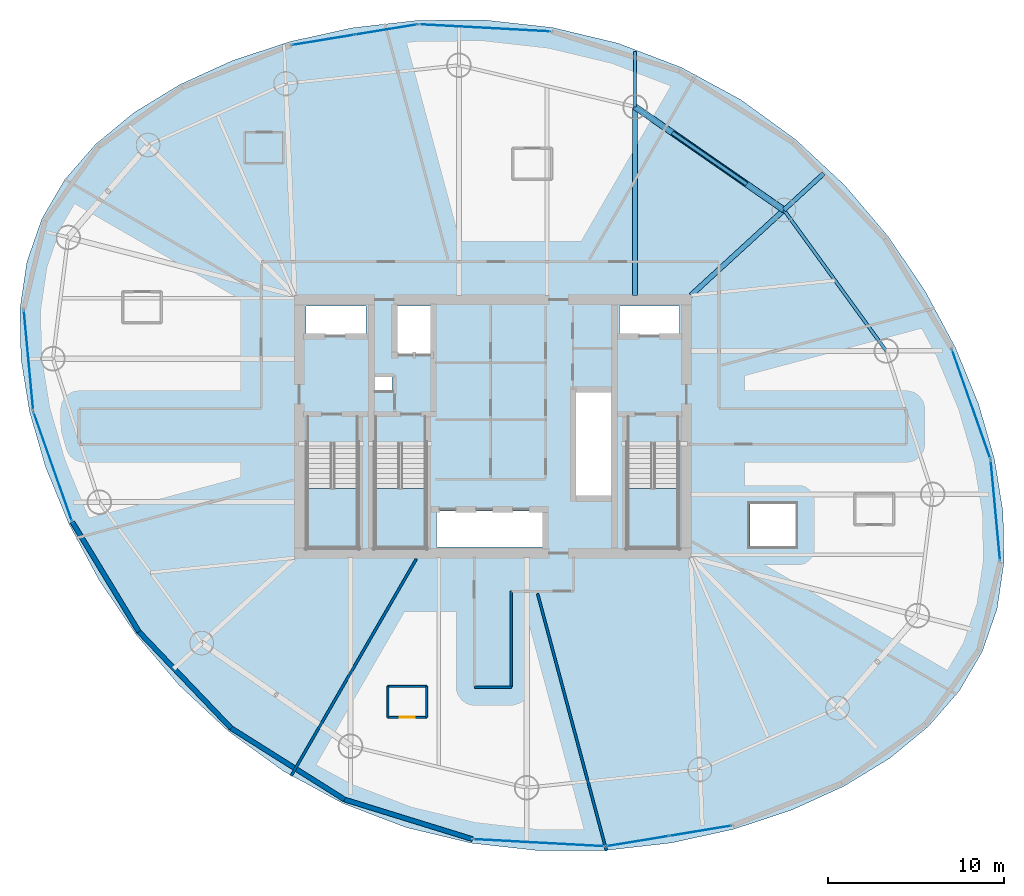
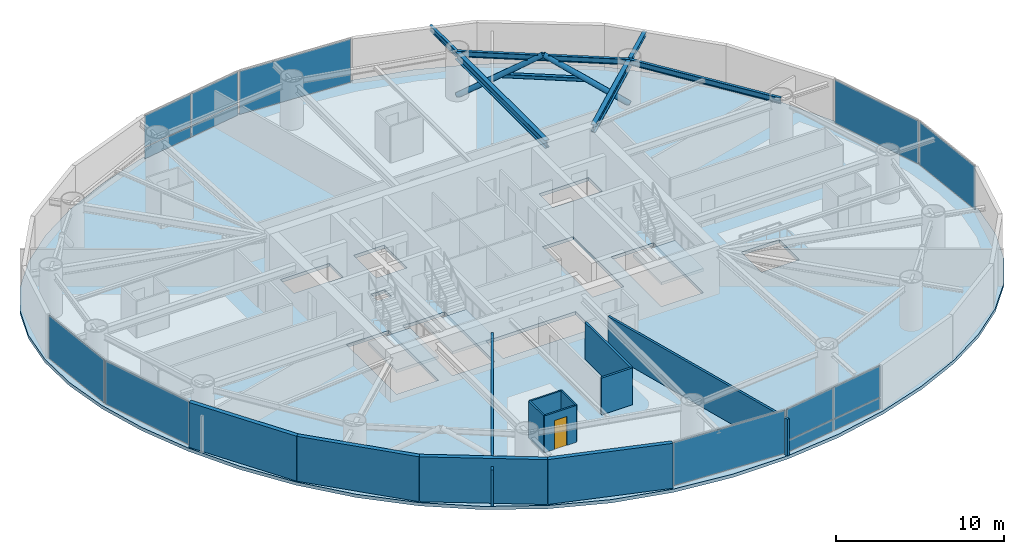
# One storey, part 14 of 20: 14 plates, 12 walls, 6 beams, 4 slabs, 3 members, 1 door, 1 opening, 11 elements without a shape of their own.
"""IFC4 building model written with IfcOpenShell, lengths in metres."""

from ifc_helpers import new_model, si_unit, direction, frame, frame_2d, origin, origin_2d, place, context, subcontext, project, spatial, polyline, rectangle, hollow_rectangle, hollow_circle, i_section, outline, extrude, material, layer, layer_set, material_profile, profile_set, type_object, element, fill, aggregate, save


model = new_model("IFC4")

# Units and contexts
model_context = context("Model", 3, precision=1e-05, world=origin(), true_north=direction((0.0, 1.0)))
body_context = subcontext(model_context, "Body", "Model", "MODEL_VIEW")
ifc_project = project(units=[si_unit("LENGTHUNIT", "METRE"), si_unit("AREAUNIT", "SQUARE_METRE"), si_unit("VOLUMEUNIT", "CUBIC_METRE"), si_unit("PLANEANGLEUNIT", "RADIAN"), si_unit("MASSUNIT", "GRAM", prefix="KILO")], contexts=[model_context])

# Site, building, storey
site_placement = place(None, origin())
site = spatial("IfcSite", under=ifc_project, at=site_placement, CompositionType="ELEMENT")
building_placement = place(site_placement, origin())
building = spatial("IfcBuilding", under=site, at=building_placement, Name="Bramvorn Convention Spire", CompositionType="ELEMENT")
storey_placement = place(building_placement, frame((0.0, 0.0, 130.800048828125)))
storey = spatial("IfcBuildingStorey", under=building, at=storey_placement, Name="L32", CompositionType="ELEMENT", Elevation=130.800048828125)

# Beams
ifc_material_1 = material(Name="Steel CSA G40.21 Grade 350 (350W)", Category="steel")
ifc_material_profile_1 = material_profile(ifc_material_1, i_section(OverallWidth=0.25390625, OverallDepth=0.2529296875, WebThickness=0.008544921875, FlangeThickness=0.01416015625, FilletRadius=0.011962890625, at=origin_2d()))
ifc_profile_set_1 = profile_set([ifc_material_profile_1], Name="Steel CSA G40.21 Grade 350 (350W) - W250X73")
beam_type_1 = type_object("IfcBeamType", Name="BM-W250X73", PredefinedType="BEAM", material=ifc_profile_set_1)
beam_1_placement = place(storey_placement, frame((54.534912109375, 38.299072265625, 3.1083984375), z_axis=(0.736813371192, 0.676096188447, 0.0), x_axis=(-0.676096188447, 0.736813371192, 0.0)))
element("IfcBeam", 1, at=beam_1_placement, inside=storey, type_object=beam_type_1, Name="L32 slab-edge cantilever tip beam MC04", PredefinedType="BEAM", context=body_context, shape_type="SweptSolid", body=[
    extrude(i_section(OverallWidth=0.25390625, OverallDepth=0.2529296875, WebThickness=0.008544921875, FlangeThickness=0.01416015625, FilletRadius=0.011962890625, at=origin_2d()), origin(), (0.0, 0.0, 1.0), 3.06396484375),
])
ifc_material_profile_2 = material_profile(ifc_material_1, i_section(OverallWidth=0.180908203125, OverallDepth=0.4169921875, WebThickness=0.010986328125, FlangeThickness=0.018310546875, FilletRadius=0.01611328125, at=origin_2d()))
ifc_profile_set_2 = profile_set([ifc_material_profile_2], Name="Steel CSA G40.21 Grade 350 (350W) - W410X85")
beam_type_2 = type_object("IfcBeamType", Name="BM-W410X85", PredefinedType="JOIST", material=ifc_profile_set_2)
beam_2_placement = place(storey_placement, frame((60.345703125, 30.293212890625, 3.051513671875), z_axis=(-0.587401024629, 0.809296012757, 0.0), x_axis=(-0.809296012757, -0.587401024629, 0.0)))
element("IfcBeam", 2, at=beam_2_placement, inside=storey, type_object=beam_type_2, Name="L32 mega-column ring beam 03", PredefinedType="JOIST", context=body_context, shape_type="SweptSolid", body=[
    extrude(i_section(OverallWidth=0.180908203125, OverallDepth=0.4169921875, WebThickness=0.010986328125, FlangeThickness=0.018310546875, FilletRadius=0.01611328125, at=origin_2d()), origin(), (0.0, 0.0, 1.0), 9.892333984375),
])
beam_3_placement = place(storey_placement, frame((54.534912109375, 38.299072265625, 3.051513671875), z_axis=(-0.822033166673, 0.569439613032, 0.0), x_axis=(-0.569439613032, -0.822033166673, 0.0)))
element("IfcBeam", 3, at=beam_3_placement, inside=storey, type_object=beam_type_2, Name="L32 mega-column ring beam 04", PredefinedType="JOIST", context=body_context, shape_type="SweptSolid", body=[
    extrude(i_section(OverallWidth=0.180908203125, OverallDepth=0.4169921875, WebThickness=0.010986328125, FlangeThickness=0.018310546875, FilletRadius=0.01611328125, at=origin_2d()), origin(), (0.0, 0.0, 1.0), 10.281982421875),
])
beam_4_placement = place(storey_placement, frame((46.082763671875, 44.154052734375, 3.0263671875), z_axis=(0.0, 1.0, 0.0), x_axis=(-1.0, 0.0, 0.0)))
element("IfcBeam", 4, at=beam_4_placement, inside=storey, type_object=beam_type_2, Name="L32 Sky-Garden cantilever tip girder MC05", PredefinedType="JOIST", context=body_context, shape_type="SweptSolid", body=[
    extrude(i_section(OverallWidth=0.180908203125, OverallDepth=0.4169921875, WebThickness=0.010986328125, FlangeThickness=0.018310546875, FilletRadius=0.01611328125, at=origin_2d()), origin(), (0.0, 0.0, 1.0), 3.138671875),
])
ifc_material_profile_3 = material_profile(ifc_material_1, i_section(OverallWidth=0.2919921875, OverallDepth=0.551025390625, WebThickness=0.01513671875, FlangeThickness=0.0244140625, FilletRadius=0.01904296875, at=origin_2d()))
ifc_profile_set_3 = profile_set([ifc_material_profile_3], Name="Steel CSA G40.21 Grade 350 (350W) - W530X182")
beam_type_3 = type_object("IfcBeamType", Name="BM-W530X182", PredefinedType="BEAM", material=ifc_profile_set_3)
beam_5_placement = place(storey_placement, frame((49.25, 33.449951171875, 2.984375), z_axis=(0.736833323746, 0.676074443399, 0.0), x_axis=(-0.676074443399, 0.736833323746, 0.0)))
element("IfcBeam", 5, at=beam_5_placement, inside=storey, type_object=beam_type_3, Name="L32 radial floor girder MC04", PredefinedType="BEAM", context=body_context, shape_type="SweptSolid", body=[
    extrude(i_section(OverallWidth=0.2919921875, OverallDepth=0.551025390625, WebThickness=0.01513671875, FlangeThickness=0.0244140625, FilletRadius=0.01904296875, at=origin_2d()), origin(), (0.0, 0.0, 1.0), 7.17236328125),
])
beam_6_placement = place(storey_placement, frame((46.082763671875, 33.449951171875, 2.95947265625), z_axis=(0.0, 1.0, 0.0), x_axis=(-1.0, 0.0, 0.0)))
element("IfcBeam", 6, at=beam_6_placement, inside=storey, type_object=beam_type_3, Name="L32 Sky-Garden back-span radial girder MC05", PredefinedType="BEAM", context=body_context, shape_type="SweptSolid", body=[
    extrude(i_section(OverallWidth=0.2919921875, OverallDepth=0.551025390625, WebThickness=0.01513671875, FlangeThickness=0.0244140625, FilletRadius=0.01904296875, at=origin_2d()), origin(), (0.0, 0.0, 1.0), 10.7041015625),
])

# Members
ifc_material_profile_4 = material_profile(ifc_material_1, hollow_circle(Radius=0.177734375, WallThickness=0.015869140625, at=origin_2d()))
ifc_profile_set_4 = profile_set([ifc_material_profile_4], Name="Steel CSA G40.21 Grade 350 (350W) - CHS356X16")
member_type_1 = type_object("IfcMemberType", Name="MBR-CHS356X16", PredefinedType="BRACE", material=ifc_profile_set_4)
for number, where, z_axis, x_axis, name in (
    (7, (54.534912109375, 38.299072265625, 0.0), (-0.694222482493, 0.480902471841, 0.535525869944), (-0.569439613032, -0.822033166673, 0.0), "L32 perimeter Gothic lancet brace 4A"),
    (8, (46.082763671875, 44.154052734375, 0.0), (0.694222482493, -0.480902471841, 0.535525869944), (0.569439613032, 0.822033166673, 0.0), "L32 perimeter Gothic lancet brace 4B"),
):
    element("IfcMember", number, at=place(storey_placement, frame(where, z_axis=z_axis, x_axis=x_axis)), inside=storey, type_object=member_type_1, Name=name, PredefinedType="BRACE", context=body_context, shape_type="SweptSolid", body=[
        extrude(hollow_circle(Radius=0.177734375, WallThickness=0.015869140625, at=origin_2d()), origin(), (0.0, 0.0, 1.0), 6.08740234375),
    ])
ifc_material_profile_5 = material_profile(ifc_material_1, hollow_rectangle(XDim=0.25390625, YDim=0.25390625, WallThickness=0.015869140625, InnerFilletRadius=0.015869140625, OuterFilletRadius=0.03173828125, at=origin_2d()))
ifc_profile_set_5 = profile_set([ifc_material_profile_5], Name="Steel CSA G40.21 Grade 350 (350W) - HSS254X254X16")
member_type_2 = type_object("IfcMemberType", Name="MBR-HSS254X254X16", PredefinedType="POST", material=ifc_profile_set_5)
member_placement = place(storey_placement, frame((52.421875, 39.7626953125, 1.6298828125), z_axis=(-0.822033166673, 0.569439613032, 0.0), x_axis=(-0.569439613032, -0.822033166673, 0.0)))
element("IfcMember", 9, at=member_placement, inside=storey, type_object=member_type_2, Name="L32 lancet mid-height collar tie 4", PredefinedType="POST", context=body_context, shape_type="SweptSolid", body=[
    extrude(hollow_rectangle(XDim=0.25390625, YDim=0.25390625, WallThickness=0.015869140625, InnerFilletRadius=0.015869140625, OuterFilletRadius=0.03173828125, at=origin_2d()), origin(), (0.0, 0.0, 1.0), 5.14111328125),
])

# Curtain wall, plate
ifc_material_2 = material(Name="Anodised Bronze Unitised Curtain Wall", Category="aluminium")
ifc_layer_1 = layer(ifc_material_2, 0.179931640625)
ifc_layer_set_1 = layer_set([ifc_layer_1], Name="Anodised Bronze Unitised Curtain Wall - CW-HTL-FRIT")
curtain_wall_type = type_object("IfcCurtainWallType", Name="CW-HTL-FRIT", PredefinedType="USERDEFINED", material=ifc_layer_set_1)
curtain_wall_1_placement = place(storey_placement, origin())
curtain_wall_1 = element("IfcCurtainWall", 10, at=curtain_wall_1_placement, inside=storey, type_object=curtain_wall_type, Name="L32 fritted glass curtain wall 02", ObjectType="UNITISED CURTAIN WALL", PredefinedType="USERDEFINED")
ifc_material_3 = material(Name="Laminated Low-E Glass (Triple IGU Tapered Ceramic Frit 40%)", Category="glass")
ifc_layer_2 = layer(ifc_material_3, 0.0380859375)
ifc_layer_set_2 = layer_set([ifc_layer_2], Name="Laminated Low-E Glass (Triple IGU Tapered Ceramic Frit 40%) - PNL-IGU-2")
plate_type = type_object("IfcPlateType", Name="PNL-IGU-2", PredefinedType="CURTAIN_PANEL", material=ifc_layer_set_2)
plate_1_placement = place(storey_placement, frame((66.548095703125, 21.232666015625, 0.06005859375), z_axis=(0.0, 0.0, 1.0), x_axis=(0.093118323373, -0.995655049629, 0.0)))
plate_1 = element("IfcPlate", 11, at=plate_1_placement, type_object=plate_type, Name="CW2 panel 1.1", PredefinedType="CURTAIN_PANEL", context=body_context, shape_type="SweptSolid", body=[
    extrude(rectangle(XDim=5.70263671875, YDim=0.028076171875, at=origin_2d()), origin(), (0.0, 0.0, 1.0), 3.139892578125),
])
aggregate(curtain_wall_1, [plate_1])

curtain_wall_2_placement = place(storey_placement, origin())
curtain_wall_2 = element("IfcCurtainWall", 12, at=curtain_wall_2_placement, inside=storey, type_object=curtain_wall_type, Name="L32 fritted glass curtain wall 03", ObjectType="UNITISED CURTAIN WALL", PredefinedType="USERDEFINED")
plate_2_placement = place(storey_placement, frame((65.170654296875, 27.27490234375, 0.06005859375), z_axis=(0.0, 0.0, 1.0), x_axis=(0.331951207806, -0.94329655763, 0.0)))
plate_2 = element("IfcPlate", 13, at=plate_2_placement, type_object=plate_type, Name="CW2 panel 1.1", PredefinedType="CURTAIN_PANEL", context=body_context, shape_type="SweptSolid", body=[
    extrude(rectangle(XDim=6.545166015625, YDim=0.028076171875, at=origin_2d()), origin(), (0.0, 0.0, 1.0), 3.139892578125),
])
aggregate(curtain_wall_2, [plate_2])

curtain_wall_3_placement = place(storey_placement, origin())
curtain_wall_3 = element("IfcCurtainWall", 14, at=curtain_wall_3_placement, inside=storey, type_object=curtain_wall_type, Name="L32 fritted glass curtain wall 08", ObjectType="UNITISED CURTAIN WALL", PredefinedType="USERDEFINED")
plate_3_placement = place(storey_placement, frame((37.5478515625, 48.6396484375, 0.06005859375), z_axis=(0.0, 0.0, 1.0), x_axis=(0.998536899068, -0.054074589229, 0.0)))
plate_3 = element("IfcPlate", 15, at=plate_3_placement, type_object=plate_type, Name="CW2 panel 1.1", PredefinedType="CURTAIN_PANEL", context=body_context, shape_type="SweptSolid", body=[
    extrude(rectangle(XDim=7.44921875, YDim=0.028076171875, at=origin_2d()), origin(), (0.0, 0.0, 1.0), 3.139892578125),
])
aggregate(curtain_wall_3, [plate_3])

# Curtain wall, plates
curtain_wall_4_placement = place(storey_placement, origin())
curtain_wall_4 = element("IfcCurtainWall", 16, at=curtain_wall_4_placement, inside=storey, type_object=curtain_wall_type, Name="L32 fritted glass curtain wall 09", ObjectType="UNITISED CURTAIN WALL", PredefinedType="USERDEFINED")
plate_4_placement = place(storey_placement, frame((28.386962890625, 47.96044921875, 0.059814453125), z_axis=(0.0, 0.0, 1.0), x_axis=(0.986783266295, 0.162045627405, 0.0)))
plate_4 = element("IfcPlate", 17, at=plate_4_placement, type_object=plate_type, Name="CW2 panel 1.1", PredefinedType="CURTAIN_PANEL", context=body_context, shape_type="SweptSolid", body=[
    extrude(rectangle(XDim=3.555908203125, YDim=0.028076171875, at=origin_2d()), origin(), (0.0, 0.0, 1.0), 0.81005859375),
])
plate_5_placement = place(storey_placement, frame((28.386962890625, 47.96044921875, 0.929931640625), z_axis=(0.0, 0.0, 1.0), x_axis=(0.986783266295, 0.162045627405, 0.0)))
plate_5 = element("IfcPlate", 18, at=plate_5_placement, type_object=plate_type, Name="CW2 panel 1.2", PredefinedType="CURTAIN_PANEL", context=body_context, shape_type="SweptSolid", body=[
    extrude(rectangle(XDim=3.555908203125, YDim=0.028076171875, at=origin_2d()), origin(), (0.0, 0.0, 1.0), 2.27001953125),
])
plate_6_placement = place(storey_placement, frame((31.955078125, 48.54638671875, 0.059814453125), z_axis=(0.0, 0.0, 1.0), x_axis=(0.986783266295, 0.162045627405, 0.0)))
plate_6 = element("IfcPlate", 19, at=plate_6_placement, type_object=plate_type, Name="CW2 panel 2.1", PredefinedType="CURTAIN_PANEL", context=body_context, shape_type="SweptSolid", body=[
    extrude(rectangle(XDim=3.555908203125, YDim=0.028076171875, at=origin_2d()), origin(), (0.0, 0.0, 1.0), 0.81005859375),
])
plate_7_placement = place(storey_placement, frame((31.955078125, 48.54638671875, 0.929931640625), z_axis=(0.0, 0.0, 1.0), x_axis=(0.986783266295, 0.162045627405, 0.0)))
plate_7 = element("IfcPlate", 20, at=plate_7_placement, type_object=plate_type, Name="CW2 panel 2.2", PredefinedType="CURTAIN_PANEL", context=body_context, shape_type="SweptSolid", body=[
    extrude(rectangle(XDim=3.555908203125, YDim=0.028076171875, at=origin_2d()), origin(), (0.0, 0.0, 1.0), 2.27001953125),
])
aggregate(curtain_wall_4, [plate_4, plate_5, plate_6, plate_7])

# Curtain wall, plate
curtain_wall_5_placement = place(storey_placement, origin())
curtain_wall_5 = element("IfcCurtainWall", 21, at=curtain_wall_5_placement, inside=storey, type_object=curtain_wall_type, Name="L32 fritted glass curtain wall 14", ObjectType="UNITISED CURTAIN WALL", PredefinedType="USERDEFINED")
plate_8_placement = place(storey_placement, frame((11.632568359375, 29.764404296875, 0.06005859375), z_axis=(0.0, 0.0, 1.0), x_axis=(-0.09310129809, 0.995656641767, 0.0)))
plate_8 = element("IfcPlate", 22, at=plate_8_placement, type_object=plate_type, Name="CW2 panel 1.1", PredefinedType="CURTAIN_PANEL", context=body_context, shape_type="SweptSolid", body=[
    extrude(rectangle(XDim=5.70263671875, YDim=0.028076171875, at=origin_2d()), origin(), (0.0, 0.0, 1.0), 3.139892578125),
])
aggregate(curtain_wall_5, [plate_8])

curtain_wall_6_placement = place(storey_placement, origin())
curtain_wall_6 = element("IfcCurtainWall", 23, at=curtain_wall_6_placement, inside=storey, type_object=curtain_wall_type, Name="L32 fritted glass curtain wall 15", ObjectType="UNITISED CURTAIN WALL", PredefinedType="USERDEFINED")
plate_9_placement = place(storey_placement, frame((13.009765625, 23.72216796875, 0.06005859375), z_axis=(0.0, 0.0, 1.0), x_axis=(-0.331951207806, 0.94329655763, 0.0)))
plate_9 = element("IfcPlate", 24, at=plate_9_placement, type_object=plate_type, Name="CW2 panel 1.1", PredefinedType="CURTAIN_PANEL", context=body_context, shape_type="SweptSolid", body=[
    extrude(rectangle(XDim=6.545166015625, YDim=0.028076171875, at=origin_2d()), origin(), (0.0, 0.0, 1.0), 3.139892578125),
])
aggregate(curtain_wall_6, [plate_9])

curtain_wall_7_placement = place(storey_placement, origin())
curtain_wall_7 = element("IfcCurtainWall", 25, at=curtain_wall_7_placement, inside=storey, type_object=curtain_wall_type, Name="L32 fritted glass curtain wall 20", ObjectType="UNITISED CURTAIN WALL", PredefinedType="USERDEFINED")
plate_10_placement = place(storey_placement, frame((40.632568359375, 2.357666015625, 0.06005859375), z_axis=(0.0, 0.0, 1.0), x_axis=(-0.998536185621, 0.054087762064, 0.0)))
plate_10 = element("IfcPlate", 26, at=plate_10_placement, type_object=plate_type, Name="CW2 panel 1.1", PredefinedType="CURTAIN_PANEL", context=body_context, shape_type="SweptSolid", body=[
    extrude(rectangle(XDim=7.44921875, YDim=0.028076171875, at=origin_2d()), origin(), (0.0, 0.0, 1.0), 3.139892578125),
])
aggregate(curtain_wall_7, [plate_10])

# Curtain wall, plates
curtain_wall_8_placement = place(storey_placement, origin())
curtain_wall_8 = element("IfcCurtainWall", 27, at=curtain_wall_8_placement, inside=storey, type_object=curtain_wall_type, Name="L32 fritted glass curtain wall 21", ObjectType="UNITISED CURTAIN WALL", PredefinedType="USERDEFINED")
plate_11_placement = place(storey_placement, frame((49.79345703125, 3.03662109375, 0.059814453125), z_axis=(0.0, 0.0, 1.0), x_axis=(-0.986783626402, -0.162043434501, 0.0)))
plate_11 = element("IfcPlate", 28, at=plate_11_placement, type_object=plate_type, Name="CW2 panel 1.1", PredefinedType="CURTAIN_PANEL", context=body_context, shape_type="SweptSolid", body=[
    extrude(rectangle(XDim=3.555908203125, YDim=0.028076171875, at=origin_2d()), origin(), (0.0, 0.0, 1.0), 0.81005859375),
])
plate_12_placement = place(storey_placement, frame((49.79345703125, 3.03662109375, 0.929931640625), z_axis=(0.0, 0.0, 1.0), x_axis=(-0.986783626402, -0.162043434501, 0.0)))
plate_12 = element("IfcPlate", 29, at=plate_12_placement, type_object=plate_type, Name="CW2 panel 1.2", PredefinedType="CURTAIN_PANEL", context=body_context, shape_type="SweptSolid", body=[
    extrude(rectangle(XDim=3.555908203125, YDim=0.028076171875, at=origin_2d()), origin(), (0.0, 0.0, 1.0), 2.27001953125),
])
plate_13_placement = place(storey_placement, frame((46.225341796875, 2.45068359375, 0.059814453125), z_axis=(0.0, 0.0, 1.0), x_axis=(-0.986783626402, -0.162043434501, 0.0)))
plate_13 = element("IfcPlate", 30, at=plate_13_placement, type_object=plate_type, Name="CW2 panel 2.1", PredefinedType="CURTAIN_PANEL", context=body_context, shape_type="SweptSolid", body=[
    extrude(rectangle(XDim=3.555908203125, YDim=0.028076171875, at=origin_2d()), origin(), (0.0, 0.0, 1.0), 0.81005859375),
])
plate_14_placement = place(storey_placement, frame((46.225341796875, 2.45068359375, 0.929931640625), z_axis=(0.0, 0.0, 1.0), x_axis=(-0.986783626402, -0.162043434501, 0.0)))
plate_14 = element("IfcPlate", 31, at=plate_14_placement, type_object=plate_type, Name="CW2 panel 2.2", PredefinedType="CURTAIN_PANEL", context=body_context, shape_type="SweptSolid", body=[
    extrude(rectangle(XDim=3.555908203125, YDim=0.028076171875, at=origin_2d()), origin(), (0.0, 0.0, 1.0), 2.27001953125),
])
aggregate(curtain_wall_8, [plate_11, plate_12, plate_13, plate_14])

# Stair, slab
ifc_material_4 = material(Name="Concrete C40/50 Precast Stair", Category="concrete")
stair_type = type_object("IfcStairType", Name="ST-TOWER-1550", PredefinedType="HALF_TURN_STAIR", material=ifc_material_4)
stair_1_placement = place(storey_placement, origin())
stair_1 = element("IfcStair", 32, at=stair_1_placement, inside=storey, type_object=stair_type, Name="L32 Protected Exit Stair ST1", PredefinedType="HALF_TURN_STAIR")
ifc_material_5 = material(Name="Concrete C40/50 Stair Landing", Category="concrete")
ifc_layer_3 = layer(ifc_material_5, 0.219970703125)
ifc_layer_set_3 = layer_set([ifc_layer_3], Name="Concrete C40/50 Stair Landing - SLB-STAIR-LANDING")
slab_type_1 = type_object("IfcSlabType", Name="SLB-STAIR-LANDING", PredefinedType="LANDING", material=ifc_layer_set_3)
slab_1_placement = place(storey_placement, frame((0.0, 0.0, 1.550048828125)))
slab_1 = element("IfcSlab", 33, at=slab_1_placement, type_object=slab_type_1, Name="ST1 landing 1", PredefinedType="LANDING", context=body_context, shape_type="SweptSolid", body=[
    extrude(outline(polyline([(27.449951171875, 22.485107421875), (27.449951171875, 19.10009765625), (30.35009765625, 19.10009765625), (30.35009765625, 22.485107421875), (27.449951171875, 22.485107421875)])), origin(), (0.0, 0.0, 1.0), 0.199951171875),
])
aggregate(stair_1, [slab_1])

stair_2_placement = place(storey_placement, origin())
stair_2 = element("IfcStair", 34, at=stair_2_placement, inside=storey, type_object=stair_type, Name="L32 Protected Exit Stair ST2", PredefinedType="HALF_TURN_STAIR")
slab_2_placement = place(storey_placement, frame((0.0, 0.0, 1.550048828125)))
slab_2 = element("IfcSlab", 35, at=slab_2_placement, type_object=slab_type_1, Name="ST2 landing 1", PredefinedType="LANDING", context=body_context, shape_type="SweptSolid", body=[
    extrude(outline(polyline([(45.64990234375, 22.485107421875), (45.64990234375, 19.10009765625), (48.550048828125, 19.10009765625), (48.550048828125, 22.485107421875), (45.64990234375, 22.485107421875)])), origin(), (0.0, 0.0, 1.0), 0.199951171875),
])
aggregate(stair_2, [slab_2])

stair_3_placement = place(storey_placement, origin())
stair_3 = element("IfcStair", 36, at=stair_3_placement, inside=storey, type_object=stair_type, Name="L32 Protected Exit Stair ST3", PredefinedType="HALF_TURN_STAIR")
slab_3_placement = place(storey_placement, frame((0.0, 0.0, 1.550048828125)))
slab_3 = element("IfcSlab", 37, at=slab_3_placement, type_object=slab_type_1, Name="ST3 landing 1", PredefinedType="LANDING", context=body_context, shape_type="SweptSolid", body=[
    extrude(outline(polyline([(31.300048828125, 22.485107421875), (31.300048828125, 19.10009765625), (34.199951171875, 19.10009765625), (34.199951171875, 22.485107421875), (31.300048828125, 22.485107421875)])), origin(), (0.0, 0.0, 1.0), 0.199951171875),
])
aggregate(stair_3, [slab_3])

# Slab
ifc_material_6 = material(Name="Concrete C50/60", Category="concrete")
ifc_layer_4 = layer(ifc_material_6, 0.239990234375)
ifc_layer_set_4 = layer_set([ifc_layer_4], Name="Concrete C50/60 - SLB-Z2-240")
slab_type_2 = type_object("IfcSlabType", Name="SLB-Z2-240", PredefinedType="FLOOR", material=ifc_layer_set_4)
slab_4_placement = place(storey_placement, frame((0.0, 0.0, -0.239990234375)))
element("IfcSlab", 38, at=slab_4_placement, inside=storey, type_object=slab_type_2, Name="L32 tower floor slab", PredefinedType="FLOOR", context=body_context, shape_type="SweptSolid", body=[
    extrude(outline(polyline([(65.80029296875, 13.21337890625), (66.643798828125, 15.64892578125), (67.0341796875, 18.293212890625), (66.980712890625, 21.135009765625), (66.494140625, 24.147705078125), (65.5869140625, 27.288330078125), (64.270751953125, 30.494873046875), (62.557861328125, 33.68994140625), (60.461669921875, 36.784912109375), (58.0, 39.686767578125), (55.1962890625, 42.3056640625), (52.0830078125, 44.563232421875), (48.702880859375, 46.39794921875), (45.110107421875, 47.770263671875), (41.3701171875, 48.6650390625), (37.556884765625, 49.089599609375), (33.751708984375, 49.0703125), (30.03759765625, 48.647705078125), (26.496826171875, 47.868896484375), (23.205810546875, 46.781494140625), (20.230712890625, 45.426513671875), (17.626708984375, 43.835205078125), (15.43408203125, 42.026611328125), (13.6806640625, 40.009521484375), (12.380126953125, 37.783935546875), (11.53662109375, 35.34814453125), (11.146240234375, 32.703857421875), (11.19970703125, 29.8623046875), (11.686279296875, 26.849365234375), (12.593505859375, 23.708740234375), (13.90966796875, 20.502197265625), (15.62255859375, 17.30712890625), (17.71875, 14.212158203125), (20.180419921875, 11.310302734375), (22.984130859375, 8.69140625), (26.097412109375, 6.433837890625), (29.4775390625, 4.59912109375), (33.0703125, 3.226806640625), (36.810302734375, 2.33203125), (40.62353515625, 1.90771484375), (44.4287109375, 1.927001953125), (48.142822265625, 2.349609375), (51.68359375, 3.128173828125), (54.974609375, 4.215576171875), (57.94970703125, 5.570556640625), (60.5537109375, 7.161865234375), (62.74609375, 8.970458984375), (64.5, 10.98779296875), (65.80029296875, 13.21337890625)]), holes=[polyline([(27.449951171875, 25.050048828125), (27.449951171875, 19.10009765625), (30.35009765625, 19.10009765625), (30.35009765625, 25.050048828125), (27.449951171875, 25.050048828125)]), polyline([(45.64990234375, 25.050048828125), (45.64990234375, 19.10009765625), (48.550048828125, 19.10009765625), (48.550048828125, 25.050048828125), (45.64990234375, 25.050048828125)]), polyline([(31.300048828125, 25.050048828125), (31.300048828125, 19.10009765625), (34.199951171875, 19.10009765625), (34.199951171875, 25.050048828125), (31.300048828125, 25.050048828125)]), polyline([(27.39990234375, 31.219970703125), (30.800048828125, 31.219970703125), (30.800048828125, 32.85009765625), (27.39990234375, 32.85009765625), (27.39990234375, 31.219970703125)]), polyline([(45.199951171875, 31.219970703125), (48.60009765625, 31.219970703125), (48.60009765625, 32.85009765625), (45.199951171875, 32.85009765625), (45.199951171875, 31.219970703125)]), polyline([(32.449951171875, 30.14990234375), (34.56005859375, 30.14990234375), (34.56005859375, 32.85009765625), (32.449951171875, 32.85009765625), (32.449951171875, 30.14990234375)]), polyline([(34.800048828125, 19.14990234375), (40.97998046875, 19.14990234375), (40.97998046875, 21.199951171875), (34.800048828125, 21.199951171875), (34.800048828125, 19.14990234375)]), polyline([(42.6201171875, 22.0), (44.75, 22.0), (44.75, 28.0), (42.6201171875, 28.0), (42.6201171875, 22.0)]), polyline([(31.320068359375, 28.02001953125), (32.280029296875, 28.02001953125), (32.280029296875, 28.820068359375), (31.320068359375, 28.820068359375), (31.320068359375, 28.02001953125)]), polyline([(52.60009765625, 19.199951171875), (55.199951171875, 19.199951171875), (55.199951171875, 21.60009765625), (52.60009765625, 21.60009765625), (52.60009765625, 19.199951171875)])]), origin(), (0.0, 0.0, 1.0), 0.239990234375),
])

# Walls
ifc_material_7 = material(Name="Precast Concrete C40/50 with Bronze Terracotta Rainscreen", Category="masonry")
ifc_layer_5 = layer(ifc_material_7, 0.300048828125)
ifc_layer_set_5 = layer_set([ifc_layer_5], Name="Precast Concrete C40/50 with Bronze Terracotta Rainscreen - WL-EXT-BRONZE-300")
wall_type_1 = type_object("IfcWallType", Name="WL-EXT-BRONZE-300", PredefinedType="SOLIDWALL", material=ifc_layer_set_5)
wall_1_placement = place(storey_placement, frame((17.9013671875, 14.34619140625, 0.0), z_axis=(0.0, 0.0, 1.0), x_axis=(-0.519121411489, 0.854700509029, 0.0)))
element("IfcWall", 39, at=wall_1_placement, inside=storey, type_object=wall_type_1, Name="L32 expressed bronze Gothic lancet pier wall 16", PredefinedType="SOLIDWALL", context=body_context, shape_type="SweptSolid", body=[
    extrude(rectangle(XDim=7.2919921875, YDim=0.280029296875, at=frame_2d((3.64599609375, 0.0))), origin(), (0.0, 0.0, 1.0), 3.260009765625),
])
wall_2_placement = place(storey_placement, frame((23.130859375, 8.8740234375, 0.0), z_axis=(0.0, 0.0, 1.0), x_axis=(-0.690894487997, 0.722955604761, 0.0)))
element("IfcWall", 40, at=wall_2_placement, inside=storey, type_object=wall_type_1, Name="L32 expressed bronze Gothic lancet pier wall 17", PredefinedType="SOLIDWALL", context=body_context, shape_type="SweptSolid", body=[
    extrude(rectangle(XDim=7.569091796875, YDim=0.280029296875, at=frame_2d((3.78466796875, 0.0))), origin(), (0.0, 0.0, 1.0), 3.260009765625),
])
for number, where, z_axis, x_axis, name in (
    (41, (29.576904296875, 4.815185546875, 0.0), (0.0, 0.0, 1.0), (-0.846219994599, 0.532833670803, 0.0), "L32 expressed bronze Gothic lancet pier wall 18"),
    (42, (36.853515625, 2.562255859375, 0.0), (0.0, 0.0, 1.0), (-0.955261961689, 0.295761026085, 0.0), "L32 expressed bronze Gothic lancet pier wall 19"),
):
    element("IfcWall", number, at=place(storey_placement, frame(where, z_axis=z_axis, x_axis=x_axis)), inside=storey, type_object=wall_type_1, Name=name, PredefinedType="SOLIDWALL", context=body_context, shape_type="SweptSolid", body=[
        extrude(rectangle(XDim=7.617431640625, YDim=0.280029296875, at=frame_2d((3.80859375, 0.0))), origin(), (0.0, 0.0, 1.0), 3.260009765625),
    ])

# Wall, opening, door
ifc_material_8 = material(Name="Lightweight En-Suite & Wet-Wall Partition", Category="gypsum")
ifc_layer_6 = layer(ifc_material_8, 0.110107421875)
ifc_layer_set_6 = layer_set([ifc_layer_6], Name="Lightweight En-Suite & Wet-Wall Partition - WL-PART-110")
wall_type_2 = type_object("IfcWallType", Name="WL-PART-110", PredefinedType="PARTITIONING", material=ifc_layer_set_6)
wall_3_placement = place(storey_placement, frame((32.044189453125, 9.4833984375, 0.0), z_axis=(0.0, 0.0, 1.0), x_axis=(1.0, 0.0, 0.0)))
wall_3 = element("IfcWall", 43, at=wall_3_placement, inside=storey, type_object=wall_type_2, Name="Hotel Suite 3206 en-suite south wall", PredefinedType="PARTITIONING", context=body_context, shape_type="SweptSolid", body=[
    extrude(rectangle(XDim=2.2001953125, YDim=0.110107421875, at=frame_2d((1.10009765625, 0.0))), origin(), (0.0, 0.0, 1.0), 2.675048828125),
])
opening_placement = place(wall_3_placement, frame((0.679931640625, 0.0, 0.0)))
opening = element("IfcOpeningElement", 44, at=opening_placement, cuts=wall_3, Name="Opening DI-085", PredefinedType="OPENING", context=body_context, shape_type="SweptSolid", body=[
    extrude(rectangle(XDim=0.85009765625, YDim=2.10009765625, at=frame_2d((0.425048828125, 1.050048828125))), frame((0.0, 0.06494140625, 0.0), z_axis=(0.0, -1.0, 0.0), x_axis=(1.0, 0.0, 0.0)), (0.0, 0.0, 1.0), 0.130126953125),
])
ifc_material_9 = material(Name="En-Suite & Restroom Privacy Door", Category="wood")
door_type = type_object("IfcDoorType", Name="DR-INT-850", OperationType="NOTDEFINED", PredefinedType="DOOR", material=ifc_material_9)
door_placement = place(opening_placement, origin())
door = element("IfcDoor", 45, at=door_placement, inside=storey, type_object=door_type, Name="Hotel Suite 3206 En-Suite Bathroom door", OperationType="SINGLE_SWING_LEFT", OverallHeight=2.10009765625, OverallWidth=0.85009765625, PredefinedType="DOOR", context=body_context, shape_type="SweptSolid", body=[
    extrude(rectangle(XDim=0.85009765625, YDim=2.10009765625, at=frame_2d((0.425048828125, 1.050048828125))), frame((0.0, 0.02490234375, 0.0), z_axis=(0.0, -1.0, 0.0), x_axis=(1.0, 0.0, 0.0)), (0.0, 0.0, 1.0), 0.050048828125),
])
fill(opening, door)

# Walls
wall_4_placement = place(storey_placement, frame((32.044189453125, 11.243408203125, 0.0), z_axis=(0.0, 0.0, 1.0), x_axis=(1.0, 0.0, 0.0)))
element("IfcWall", 46, at=wall_4_placement, inside=storey, type_object=wall_type_2, Name="Hotel Suite 3206 en-suite north wall", PredefinedType="PARTITIONING", context=body_context, shape_type="SweptSolid", body=[
    extrude(rectangle(XDim=2.2001953125, YDim=0.110107421875, at=frame_2d((1.10009765625, 0.0))), origin(), (0.0, 0.0, 1.0), 2.675048828125),
])
for number, where, z_axis, x_axis, name in (
    (47, (32.044189453125, 9.4833984375, 0.0), (0.0, 0.0, 1.0), (0.0, 1.0, 0.0), "Hotel Suite 3206 en-suite west wall"),
    (48, (34.244384765625, 9.4833984375, 0.0), (0.0, 0.0, 1.0), (0.0, 1.0, 0.0), "Hotel Suite 3206 en-suite east wall"),
):
    element("IfcWall", number, at=place(storey_placement, frame(where, z_axis=z_axis, x_axis=x_axis)), inside=storey, type_object=wall_type_2, Name=name, PredefinedType="PARTITIONING", context=body_context, shape_type="SweptSolid", body=[
        extrude(rectangle(XDim=1.760009765625, YDim=0.110107421875, at=frame_2d((0.8798828125, 0.0))), origin(), (0.0, 0.0, 1.0), 2.675048828125),
    ])
ifc_material_10 = material(Name="Acoustic Metal-Stud Tenant/Corridor Partition", Category="gypsum")
ifc_layer_7 = layer(ifc_material_10, 0.14990234375)
ifc_layer_set_7 = layer_set([ifc_layer_7], Name="Acoustic Metal-Stud Tenant/Corridor Partition - WL-PART-150")
wall_type_3 = type_object("IfcWallType", Name="WL-PART-150", PredefinedType="PARTITIONING", material=ifc_layer_set_7)
wall_5_placement = place(storey_placement, frame((39.050048828125, 11.199951171875, 0.0), z_axis=(0.0, 0.0, 1.0), x_axis=(0.0, 1.0, 0.0)))
element("IfcWall", 49, at=wall_5_placement, inside=storey, type_object=wall_type_3, Name="L32 South axial spine east wall", PredefinedType="PARTITIONING", context=body_context, shape_type="SweptSolid", body=[
    extrude(rectangle(XDim=5.449951171875, YDim=0.14990234375, at=frame_2d((2.72509765625, 0.0))), origin(), (0.0, 0.0, 1.0), 2.675048828125),
])
wall_6_placement = place(storey_placement, frame((36.949951171875, 11.199951171875, 0.0), z_axis=(0.0, 0.0, 1.0), x_axis=(1.0, 0.0, 0.0)))
element("IfcWall", 50, at=wall_6_placement, inside=storey, type_object=wall_type_3, Name="L32 South axial spine end wall", PredefinedType="PARTITIONING", context=body_context, shape_type="SweptSolid", body=[
    extrude(rectangle(XDim=2.10009765625, YDim=0.14990234375, at=frame_2d((1.050048828125, 0.0))), origin(), (0.0, 0.0, 1.0), 2.675048828125),
])
wall_7_placement = place(storey_placement, frame((33.658203125, 18.47998046875, 0.0), z_axis=(0.0, 0.0, 1.0), x_axis=(-0.499997182991, -0.866027030179, 0.0)))
element("IfcWall", 51, at=wall_7_placement, inside=storey, type_object=wall_type_3, Name="L32 Guestroom demising wall 6", PredefinedType="PARTITIONING", context=body_context, shape_type="SweptSolid", body=[
    extrude(rectangle(XDim=14.23095703125, YDim=0.14990234375, at=frame_2d((7.115478515625, 0.0))), origin(), (0.0, 0.0, 1.0), 2.675048828125),
])
wall_8_placement = place(storey_placement, frame((40.542724609375, 16.510009765625, 0.0), z_axis=(0.0, 0.0, 1.0), x_axis=(0.258823752986, -0.965924564803, 0.0)))
element("IfcWall", 52, at=wall_8_placement, inside=storey, type_object=wall_type_3, Name="L32 Guestroom demising wall 7", PredefinedType="PARTITIONING", context=body_context, shape_type="SweptSolid", body=[
    extrude(rectangle(XDim=15.126220703125, YDim=0.14990234375, at=frame_2d((7.56298828125, 0.0))), origin(), (0.0, 0.0, 1.0), 2.675048828125),
])

save(model, "model.ifc")
